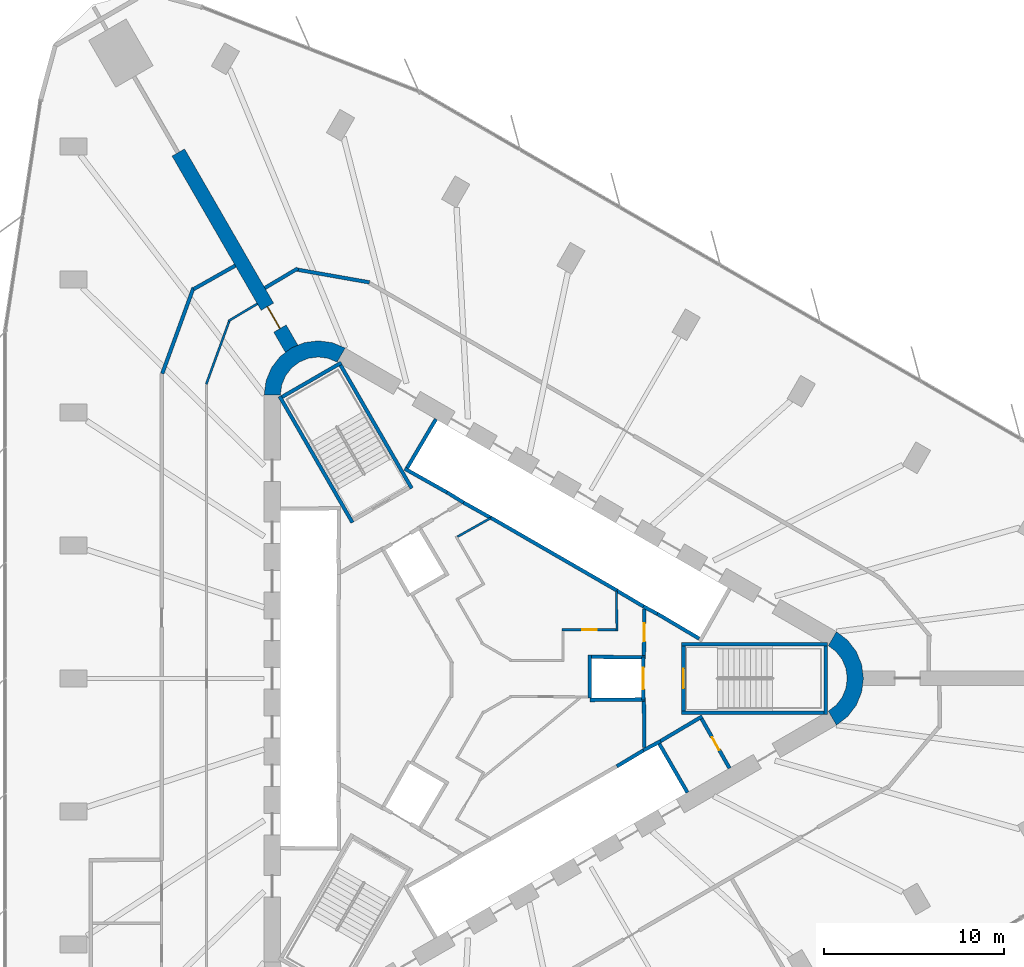
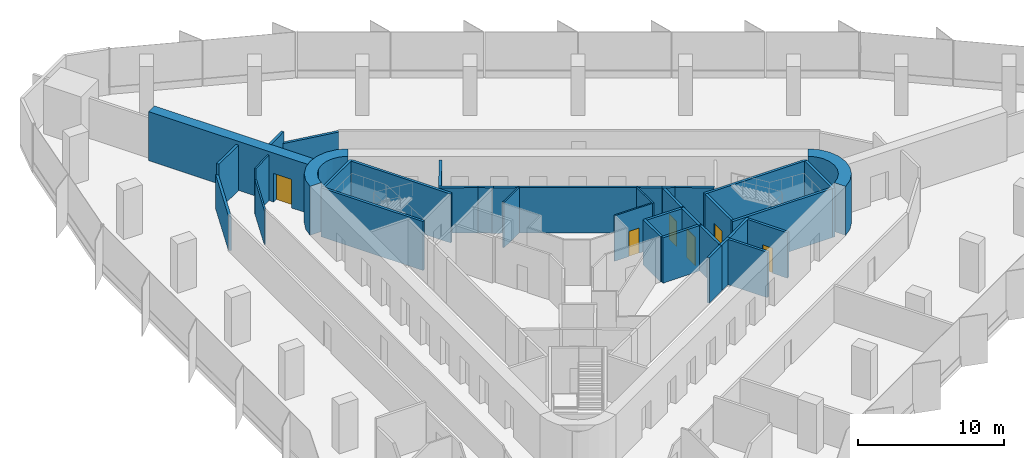
# One storey, part 12 of 15: 38 walls, 6 doors, 6 openings.
"""IFC4 building model written with IfcOpenShell, lengths in metres."""

from ifc_helpers import new_model, si_unit, direction, frame, frame_2d, origin, place, context, subcontext, project, spatial, polyline, rectangle, outline, extrude, material, layer, layer_set, type_object, element, fill, save


model = new_model("IFC4")

# Units and contexts
model_context = context("Model", 3, precision=1e-05, world=origin(), true_north=direction((0.0, 1.0)))
body_context = subcontext(model_context, "Body", "Model", "MODEL_VIEW")
ifc_project = project(units=[si_unit("LENGTHUNIT", "METRE"), si_unit("AREAUNIT", "SQUARE_METRE"), si_unit("VOLUMEUNIT", "CUBIC_METRE"), si_unit("PLANEANGLEUNIT", "RADIAN"), si_unit("MASSUNIT", "GRAM", prefix="KILO")], contexts=[model_context])

# Site, building, storey
site_placement = place(None, origin())
site = spatial("IfcSite", under=ifc_project, at=site_placement, CompositionType="ELEMENT")
building_placement = place(site_placement, origin())
building = spatial("IfcBuilding", under=site, at=building_placement, Name="Tanit Gate Tower", CompositionType="ELEMENT")
storey_placement = place(building_placement, frame((0.0, 0.0, 135.699951171875)))
storey = spatial("IfcBuildingStorey", under=building, at=storey_placement, Name="L29", CompositionType="ELEMENT", Elevation=135.699951171875)

# Wall, opening, door
ifc_material_1 = material(Name="Concrete C60/75", Category="concrete")
ifc_layer_1 = layer(ifc_material_1, 0.800048828125)
ifc_layer_set_1 = layer_set([ifc_layer_1], Name="BUTTRESS FIN 800 C60/75")
wall_type_1 = type_object("IfcWallType", Name="BUTTRESS FIN 800 C60/75", PredefinedType="SHEAR", material=ifc_layer_set_1)
wall_1_placement = place(storey_placement, frame((-10.574951171875, 18.31640625, 0.0), z_axis=(0.0, 0.0, 1.0), x_axis=(-0.500005394759, 0.866022289097, 0.0)))
wall_1 = element("IfcWall", 1, at=wall_1_placement, inside=storey, type_object=wall_type_1, Name="BUTTRESS FIN", PredefinedType="SHEAR", context=body_context, shape_type="SweptSolid", body=[
    extrude(rectangle(XDim=12.597900390625, YDim=0.800048828125, at=frame_2d((6.298828125, 0.0))), origin(), (0.0, 0.0, 1.0), 4.10009765625),
])
opening_1_placement = place(wall_1_placement, frame((1.300048828125, 0.0, 0.0)))
opening_1 = element("IfcOpeningElement", 2, at=opening_1_placement, cuts=wall_1, Name="Opening P14-S07-F-NW-1", PredefinedType="OPENING", context=body_context, shape_type="SweptSolid", body=[
    extrude(rectangle(XDim=1.39990234375, YDim=2.39990234375, at=frame_2d((0.699951171875, 1.199951171875))), frame((0.0, 0.41015625, 0.0), z_axis=(0.0, -1.0, 0.0), x_axis=(1.0, 0.0, 0.0)), (0.0, 0.0, 1.0), 0.820068359375),
])
ifc_material_2 = material(Name="Timber door leaf", Category="wood")
door_type_1 = type_object("IfcDoorType", Name="INT-DOOR-FIN-PAIR-1400", OperationType="NOTDEFINED", PredefinedType="NOTDEFINED", material=ifc_material_2)
door_1_placement = place(opening_1_placement, origin())
door_1 = element("IfcDoor", 3, at=door_1_placement, inside=storey, type_object=door_type_1, Name="Door P14-S07-F-NW-1", OperationType="DOUBLE_DOOR_SINGLE_SWING", OverallHeight=2.39990234375, OverallWidth=1.39990234375, PredefinedType="NOTDEFINED", context=body_context, shape_type="SweptSolid", body=[
    extrude(rectangle(XDim=1.39990234375, YDim=2.39990234375, at=frame_2d((0.699951171875, 1.199951171875))), frame((0.0, 0.02490234375, 0.0), z_axis=(0.0, -1.0, 0.0), x_axis=(1.0, 0.0, 0.0)), (0.0, 0.0, 1.0), 0.050048828125),
])
fill(opening_1, door_1)

# Walls
ifc_material_3 = material(Name="Concrete C60/75", Category="concrete")
ifc_layer_2 = layer(ifc_material_3, 0.89990234375)
ifc_layer_set_2 = layer_set([ifc_layer_2], Name="CORE WALL 900 C60/75")
wall_type_2 = type_object("IfcWallType", Name="CORE WALL 900 C60/75", PredefinedType="SHEAR", material=ifc_layer_set_2)
wall_2_placement = place(storey_placement, origin())
element("IfcWall", 4, at=wall_2_placement, inside=storey, type_object=wall_type_2, Name="CORE WALL CORNER", PredefinedType="SHEAR", context=body_context, shape_type="SweptSolid", body=[
    extrude(outline(polyline([(-7.60009765625, 18.359619140625), (-8.323486328125, 18.659423828125), (-9.10009765625, 18.76171875), (-9.87646484375, 18.659423828125), (-10.60009765625, 18.359619140625), (-11.22119140625, 17.883056640625), (-11.697998046875, 17.26171875), (-11.997802734375, 16.5380859375), (-12.10009765625, 15.76171875), (-11.199951171875, 15.76171875), (-11.12841796875, 16.30517578125), (-10.918701171875, 16.811767578125), (-10.5849609375, 17.24658203125), (-10.14990234375, 17.580322265625), (-9.6435546875, 17.7900390625), (-9.10009765625, 17.86181640625), (-8.556396484375, 17.7900390625), (-8.050048828125, 17.580322265625), (-7.60009765625, 18.359619140625)])), origin(), (0.0, 0.0, 1.0), 4.10009765625),
])
wall_3_placement = place(storey_placement, origin())
element("IfcWall", 5, at=wall_3_placement, inside=storey, type_object=wall_type_2, Name="CORE WALL CORNER", PredefinedType="SHEAR", context=body_context, shape_type="SweptSolid", body=[
    extrude(outline(polyline([(19.699951171875, -2.59814453125), (20.3212890625, -2.121337890625), (20.798095703125, -1.5), (21.097900390625, -0.776611328125), (21.199951171875, 0.0), (21.097900390625, 0.776611328125), (20.798095703125, 1.5), (20.3212890625, 2.121337890625), (19.699951171875, 2.59814453125), (19.25, 1.818603515625), (19.684814453125, 1.48486328125), (20.018798828125, 1.050048828125), (20.228515625, 0.54345703125), (20.300048828125, 0.0), (20.228515625, -0.54345703125), (20.018798828125, -1.050048828125), (19.684814453125, -1.48486328125), (19.25, -1.818603515625), (19.699951171875, -2.59814453125)])), origin(), (0.0, 0.0, 1.0), 4.10009765625),
])
ifc_material_4 = material(Name="Fire-rated gypsum board partition")
ifc_layer_3 = layer(ifc_material_4, 0.199951171875)
ifc_layer_set_3 = layer_set([ifc_layer_3], Name="INT-WALL-COMPARTMENT")
wall_type_3 = type_object("IfcWallType", Name="INT-WALL-COMPARTMENT", PredefinedType="PARTITIONING", material=ifc_layer_set_3)
wall_4_placement = place(storey_placement, frame((12.244873046875, -2.10888671875, 0.0), z_axis=(0.0, 0.0, 1.0), x_axis=(-0.860414880418, -0.509594185166, 0.0)))
element("IfcWall", 6, at=wall_4_placement, inside=storey, type_object=wall_type_3, Name="Wall Compartment W057", PredefinedType="PARTITIONING", context=body_context, shape_type="SweptSolid", body=[
    extrude(rectangle(XDim=2.7001953125, YDim=0.199951171875, at=frame_2d((1.35009765625, 0.0))), origin(), (0.0, 0.0, 1.0), 3.800048828125),
])

# Wall, opening, door
wall_5_placement = place(storey_placement, frame((13.758056640625, -4.989501953125, 0.0), z_axis=(0.0, 0.0, 1.0), x_axis=(-0.491993409184, 0.87059892334, 0.0)))
wall_5 = element("IfcWall", 7, at=wall_5_placement, inside=storey, type_object=wall_type_3, Name="Wall Compartment W058", PredefinedType="PARTITIONING", context=body_context, shape_type="SweptSolid", body=[
    extrude(rectangle(XDim=3.150146484375, YDim=0.199951171875, at=frame_2d((1.5751953125, 0.0))), origin(), (0.0, 0.0, 1.0), 3.800048828125),
])
opening_2_placement = place(wall_5_placement, frame((1.175048828125, 0.0, 0.0)))
opening_2 = element("IfcOpeningElement", 8, at=opening_2_placement, cuts=wall_5, Name="Opening R08-S07-14", PredefinedType="OPENING", context=body_context, shape_type="SweptSolid", body=[
    extrude(rectangle(XDim=0.800048828125, YDim=2.10009765625, at=frame_2d((0.39990234375, 1.050048828125))), frame((0.0, 0.10986328125, 0.0), z_axis=(0.0, -1.0, 0.0), x_axis=(1.0, 0.0, 0.0)), (0.0, 0.0, 1.0), 0.219970703125),
])
ifc_material_5 = material(Name="Timber door leaf", Category="wood")
door_type_2 = type_object("IfcDoorType", Name="INT-DOOR-RISER-800", OperationType="NOTDEFINED", PredefinedType="USERDEFINED", material=ifc_material_5)
door_2_placement = place(opening_2_placement, origin())
door_2 = element("IfcDoor", 9, at=door_2_placement, inside=storey, type_object=door_type_2, Name="Door R08-S07-14", ObjectType="FIRE DOOR", OperationType="SINGLE_SWING_LEFT", OverallHeight=2.10009765625, OverallWidth=0.800048828125, PredefinedType="USERDEFINED", context=body_context, shape_type="SweptSolid", body=[
    extrude(rectangle(XDim=0.800048828125, YDim=2.10009765625, at=frame_2d((0.39990234375, 1.050048828125))), frame((0.0, 0.02490234375, 0.0), z_axis=(0.0, -1.0, 0.0), x_axis=(1.0, 0.0, 0.0)), (0.0, 0.0, 1.0), 0.050048828125),
])
fill(opening_2, door_2)

# Wall
wall_6_placement = place(storey_placement, frame((9.02880859375, -3.8505859375, 0.0), z_axis=(0.0, 0.0, 1.0), x_axis=(-0.010784614026, 0.999941844359, 0.0)))
element("IfcWall", 10, at=wall_6_placement, inside=storey, type_object=wall_type_3, Name="Wall Compartment W059", PredefinedType="PARTITIONING", context=body_context, shape_type="SweptSolid", body=[
    extrude(rectangle(XDim=2.580810546875, YDim=0.199951171875, at=frame_2d((1.29052734375, 0.0))), origin(), (0.0, 0.0, 1.0), 3.800048828125),
])

# Wall, opening, door
wall_7_placement = place(storey_placement, frame((9.0009765625, 1.27001953125, 0.0), z_axis=(0.0, 0.0, 1.0), x_axis=(0.010783593937, 0.99994185536, 0.0)))
wall_7 = element("IfcWall", 11, at=wall_7_placement, inside=storey, type_object=wall_type_3, Name="Wall Compartment W060", PredefinedType="PARTITIONING", context=body_context, shape_type="SweptSolid", body=[
    extrude(rectangle(XDim=2.5810546875, YDim=0.199951171875, at=frame_2d((1.29052734375, 0.0))), origin(), (0.0, 0.0, 1.0), 3.800048828125),
])
opening_3_placement = place(wall_7_placement, frame((0.79052734375, 0.0, 0.0)))
opening_3 = element("IfcOpeningElement", 12, at=opening_3_placement, cuts=wall_7, Name="Opening F10-S07-02", PredefinedType="OPENING", context=body_context, shape_type="SweptSolid", body=[
    extrude(rectangle(XDim=1.0, YDim=2.10009765625, at=frame_2d((0.5, 1.050048828125))), frame((0.0, 0.10986328125, 0.0), z_axis=(0.0, -1.0, 0.0), x_axis=(1.0, 0.0, 0.0)), (0.0, 0.0, 1.0), 0.219970703125),
])
ifc_material_6 = material(Name="Fire-rated steel door leaf", Category="steel")
door_type_3 = type_object("IfcDoorType", Name="INT-DOOR-FIRE-1000", OperationType="NOTDEFINED", PredefinedType="USERDEFINED", material=ifc_material_6)
door_3_placement = place(opening_3_placement, origin())
door_3 = element("IfcDoor", 13, at=door_3_placement, inside=storey, type_object=door_type_3, Name="Door F10-S07-02", ObjectType="FIRE DOOR", OperationType="SINGLE_SWING_RIGHT", OverallHeight=2.10009765625, OverallWidth=1.0, PredefinedType="USERDEFINED", context=body_context, shape_type="SweptSolid", body=[
    extrude(rectangle(XDim=1.0, YDim=2.10009765625, at=frame_2d((0.5, 1.050048828125))), frame((0.0, 0.02490234375, 0.0), z_axis=(0.0, -1.0, 0.0), x_axis=(1.0, 0.0, 0.0)), (0.0, 0.0, 1.0), 0.050048828125),
])
fill(opening_3, door_3)

# Walls
wall_8_placement = place(storey_placement, frame((-16.02685546875, 21.717529296875, 0.0), z_axis=(0.0, 0.0, 1.0), x_axis=(-0.342039923135, -0.939685421288, 0.0)))
element("IfcWall", 14, at=wall_8_placement, inside=storey, type_object=wall_type_3, Name="Wall Compartment W092", PredefinedType="PARTITIONING", context=body_context, shape_type="SweptSolid", body=[
    extrude(rectangle(XDim=5.084228515625, YDim=0.199951171875, at=frame_2d((2.5419921875, 0.0))), origin(), (0.0, 0.0, 1.0), 2.880126953125),
])
wall_9_placement = place(storey_placement, frame((-13.70654296875, 22.940185546875, 0.0), z_axis=(0.0, 0.0, 1.0), x_axis=(-0.870827475384, -0.491588759143, 0.0)))
element("IfcWall", 15, at=wall_9_placement, inside=storey, type_object=wall_type_3, Name="Wall Compartment W093", PredefinedType="PARTITIONING", context=body_context, shape_type="SweptSolid", body=[
    extrude(rectangle(XDim=2.661865234375, YDim=0.199951171875, at=frame_2d((1.3310546875, 0.0))), origin(), (0.0, 0.0, 1.0), 3.800048828125),
])
wall_10_placement = place(storey_placement, frame((-10.228271484375, 22.786376953125, 0.0), z_axis=(0.0, 0.0, 1.0), x_axis=(-0.859754348804, -0.510707802674, 0.0)))
element("IfcWall", 16, at=wall_10_placement, inside=storey, type_object=wall_type_3, Name="Wall Compartment W100", PredefinedType="PARTITIONING", context=body_context, shape_type="SweptSolid", body=[
    extrude(rectangle(XDim=2.135498046875, YDim=0.199951171875, at=frame_2d((1.06787109375, 0.0))), origin(), (0.0, 0.0, 1.0), 3.800048828125),
])
wall_11_placement = place(storey_placement, frame((-6.25048828125, 22.008056640625, 0.0), z_axis=(0.0, 0.0, 1.0), x_axis=(-0.984810577443, 0.173632158762, 0.0)))
element("IfcWall", 17, at=wall_11_placement, inside=storey, type_object=wall_type_3, Name="Wall Compartment W101", PredefinedType="PARTITIONING", context=body_context, shape_type="SweptSolid", body=[
    extrude(rectangle(XDim=4.091796875, YDim=0.199951171875, at=frame_2d((2.0458984375, 0.0))), origin(), (0.0, 0.0, 1.0), 2.880126953125),
])
ifc_material_7 = material(Name="Gypsum board partition")
ifc_layer_4 = layer(ifc_material_7, 0.1201171875)
ifc_layer_set_4 = layer_set([ifc_layer_4], Name="INT-WALL-PARTITION")
wall_type_4 = type_object("IfcWallType", Name="INT-WALL-PARTITION", PredefinedType="PARTITIONING", material=ifc_layer_set_4)
wall_12_placement = place(storey_placement, frame((7.500732421875, 2.639892578125, 0.0), z_axis=(0.0, 0.0, 1.0), x_axis=(-0.01174194727, 0.999931060961, 0.0)))
element("IfcWall", 18, at=wall_12_placement, inside=storey, type_object=wall_type_4, Name="Wall Partition W077", PredefinedType="PARTITIONING", context=body_context, shape_type="SweptSolid", body=[
    extrude(rectangle(XDim=2.224853515625, YDim=0.1201171875, at=frame_2d((1.1123046875, 0.0))), origin(), (0.0, 0.0, 1.0), 3.800048828125),
])

# Wall, opening, door
wall_13_placement = place(storey_placement, frame((4.43994140625, 2.699951171875, 0.0), z_axis=(0.0, 0.0, 1.0), x_axis=(1.0, 0.0, 0.0)))
wall_13 = element("IfcWall", 19, at=wall_13_placement, inside=storey, type_object=wall_type_4, Name="Wall Partition W078", PredefinedType="PARTITIONING", context=body_context, shape_type="SweptSolid", body=[
    extrude(rectangle(XDim=3.0, YDim=0.1201171875, at=frame_2d((1.5, 0.0))), origin(), (0.0, 0.0, 1.0), 3.800048828125),
])
opening_4_placement = place(wall_13_placement, frame((1.1298828125, 0.0, 0.0)))
opening_4 = element("IfcOpeningElement", 20, at=opening_4_placement, cuts=wall_13, Name="Opening R08-S07-13", PredefinedType="OPENING", context=body_context, shape_type="SweptSolid", body=[
    extrude(rectangle(XDim=0.800048828125, YDim=2.10009765625, at=frame_2d((0.39990234375, 1.050048828125))), frame((0.0, 0.070068359375, 0.0), z_axis=(0.0, -1.0, 0.0), x_axis=(1.0, 0.0, 0.0)), (0.0, 0.0, 1.0), 0.14013671875),
])
door_4_placement = place(opening_4_placement, origin())
door_4 = element("IfcDoor", 21, at=door_4_placement, inside=storey, type_object=door_type_2, Name="Door R08-S07-13", ObjectType="FIRE DOOR", OperationType="SINGLE_SWING_LEFT", OverallHeight=2.10009765625, OverallWidth=0.800048828125, PredefinedType="USERDEFINED", context=body_context, shape_type="SweptSolid", body=[
    extrude(rectangle(XDim=0.800048828125, YDim=2.10009765625, at=frame_2d((0.39990234375, 1.050048828125))), frame((0.0, 0.02490234375, 0.0), z_axis=(0.0, -1.0, 0.0), x_axis=(1.0, 0.0, 0.0)), (0.0, 0.0, 1.0), 0.050048828125),
])
fill(opening_4, door_4)

# Walls
wall_14_placement = place(storey_placement, frame((0.475341796875, 8.9052734375, 0.0), z_axis=(0.0, 0.0, 1.0), x_axis=(-0.871832572129, -0.489804007921, 0.0)))
element("IfcWall", 22, at=wall_14_placement, inside=storey, type_object=wall_type_4, Name="Wall Partition W085", PredefinedType="PARTITIONING", context=body_context, shape_type="SweptSolid", body=[
    extrude(rectangle(XDim=2.1044921875, YDim=0.1201171875, at=frame_2d((1.05224609375, 0.0))), origin(), (0.0, 0.0, 1.0), 3.800048828125),
])
wall_15_placement = place(storey_placement, frame((-12.481689453125, 20.819091796875, 0.0), z_axis=(0.0, 0.0, 1.0), x_axis=(-0.85913200524, -0.511754040113, 0.0)))
element("IfcWall", 23, at=wall_15_placement, inside=storey, type_object=wall_type_4, Name="Wall Partition W086", PredefinedType="PARTITIONING", context=body_context, shape_type="SweptSolid", body=[
    extrude(rectangle(XDim=1.87451171875, YDim=0.1201171875, at=frame_2d((0.937255859375, 0.0))), origin(), (0.0, 0.0, 1.0), 3.800048828125),
])
wall_16_placement = place(storey_placement, frame((-14.038330078125, 19.87158203125, 0.0), z_axis=(0.0, 0.0, 1.0), x_axis=(-0.342035870777, -0.939686896313, 0.0)))
element("IfcWall", 24, at=wall_16_placement, inside=storey, type_object=wall_type_4, Name="Wall Partition W087", PredefinedType="PARTITIONING", context=body_context, shape_type="SweptSolid", body=[
    extrude(rectangle(XDim=3.748779296875, YDim=0.1201171875, at=frame_2d((1.87451171875, 0.0))), origin(), (0.0, 0.0, 1.0), 2.880126953125),
])
ifc_material_8 = material(Name="Gypsum shaft wall system")
ifc_layer_5 = layer(ifc_material_8, 0.199951171875)
ifc_layer_set_5 = layer_set([ifc_layer_5], Name="INT-WALL-SHAFT")
wall_type_5 = type_object("IfcWallType", Name="INT-WALL-SHAFT", PredefinedType="PLUMBINGWALL", material=ifc_layer_set_5)
wall_17_placement = place(storey_placement, frame((7.497314453125, 4.885986328125, 0.0), z_axis=(0.0, 0.0, 1.0), x_axis=(-0.866030989016, 0.499990325971, 0.0)))
element("IfcWall", 25, at=wall_17_placement, inside=storey, type_object=wall_type_5, Name="Wall Shaft W003", PredefinedType="PLUMBINGWALL", context=body_context, shape_type="SweptSolid", body=[
    extrude(rectangle(XDim=8.099853515625, YDim=0.199951171875, at=frame_2d((4.0498046875, 0.0))), origin(), (0.0, 0.0, 1.0), 3.800048828125),
])
wall_18_placement = place(storey_placement, frame((12.072998046875, 2.2109375, 0.0), z_axis=(0.0, 0.0, 1.0), x_axis=(-0.860438357912, 0.509554542943, 0.0)))
element("IfcWall", 26, at=wall_18_placement, inside=storey, type_object=wall_type_5, Name="Wall Shaft W014", PredefinedType="PLUMBINGWALL", context=body_context, shape_type="SweptSolid", body=[
    extrude(rectangle(XDim=2.700439453125, YDim=0.199951171875, at=frame_2d((1.35009765625, 0.0))), origin(), (0.0, 0.0, 1.0), 3.800048828125),
])
wall_19_placement = place(storey_placement, frame((9.74755859375, 3.583251953125, 0.0), z_axis=(0.0, 0.0, 1.0), x_axis=(-0.880917147855, 0.473270513147, 0.0)))
element("IfcWall", 27, at=wall_19_placement, inside=storey, type_object=wall_type_5, Name="Wall Shaft W015", PredefinedType="PLUMBINGWALL", context=body_context, shape_type="SweptSolid", body=[
    extrude(rectangle(XDim=0.8779296875, YDim=0.199951171875, at=frame_2d((0.43896484375, 0.0))), origin(), (0.0, 0.0, 1.0), 3.800048828125),
])
wall_20_placement = place(storey_placement, frame((9.07958984375, 3.93701171875, 0.0), z_axis=(0.0, 0.0, 1.0), x_axis=(-0.859981807212, 0.510324691999, 0.0)))
element("IfcWall", 28, at=wall_20_placement, inside=storey, type_object=wall_type_5, Name="Wall Shaft W016", PredefinedType="PLUMBINGWALL", context=body_context, shape_type="SweptSolid", body=[
    extrude(rectangle(XDim=1.8447265625, YDim=0.199951171875, at=frame_2d((0.92236328125, 0.0))), origin(), (0.0, 0.0, 1.0), 3.800048828125),
])
wall_21_placement = place(storey_placement, frame((-1.940673828125, 10.338623046875, 0.0), z_axis=(0.0, 0.0, 1.0), x_axis=(0.850216889117, -0.526432561171, 0.0)))
element("IfcWall", 29, at=wall_21_placement, inside=storey, type_object=wall_type_5, Name="Wall Shaft W019", PredefinedType="PLUMBINGWALL", context=body_context, shape_type="SweptSolid", body=[
    extrude(rectangle(XDim=1.078369140625, YDim=0.199951171875, at=frame_2d((0.5390625, 0.0))), origin(), (0.0, 0.0, 1.0), 3.800048828125),
])
wall_22_placement = place(storey_placement, frame((0.478271484375, 8.928466796875, 0.0), z_axis=(0.0, 0.0, 1.0), x_axis=(-0.871988740738, 0.489525929882, 0.0)))
element("IfcWall", 30, at=wall_22_placement, inside=storey, type_object=wall_type_5, Name="Wall Shaft W020", PredefinedType="PLUMBINGWALL", context=body_context, shape_type="SweptSolid", body=[
    extrude(rectangle(XDim=1.8447265625, YDim=0.199951171875, at=frame_2d((0.92236328125, 0.0))), origin(), (0.0, 0.0, 1.0), 3.800048828125),
])
wall_23_placement = place(storey_placement, frame((-4.296142578125, 11.658935546875, 0.0), z_axis=(0.0, 0.0, 1.0), x_axis=(0.871534483978, -0.490334215854, 0.0)))
element("IfcWall", 31, at=wall_23_placement, inside=storey, type_object=wall_type_5, Name="Wall Shaft W021", PredefinedType="PLUMBINGWALL", context=body_context, shape_type="SweptSolid", body=[
    extrude(rectangle(XDim=2.7001953125, YDim=0.199951171875, at=frame_2d((1.35009765625, 0.0))), origin(), (0.0, 0.0, 1.0), 3.800048828125),
])
wall_24_placement = place(storey_placement, frame((-4.158203125, 11.696044921875, 0.0), z_axis=(0.0, 0.0, 1.0), x_axis=(0.508018930956, 0.861345903683, 0.0)))
element("IfcWall", 32, at=wall_24_placement, inside=storey, type_object=wall_type_5, Name="Wall Shaft W022", PredefinedType="PLUMBINGWALL", context=body_context, shape_type="SweptSolid", body=[
    extrude(rectangle(XDim=3.150146484375, YDim=0.199951171875, at=frame_2d((1.5751953125, 0.0))), origin(), (0.0, 0.0, 1.0), 3.800048828125),
])
wall_25_placement = place(storey_placement, frame((9.794677734375, -3.52490234375, 0.0), z_axis=(0.0, 0.0, 1.0), x_axis=(0.499984717929, -0.866034226713, 0.0)))
element("IfcWall", 33, at=wall_25_placement, inside=storey, type_object=wall_type_5, Name="Wall Shaft W024", PredefinedType="PLUMBINGWALL", context=body_context, shape_type="SweptSolid", body=[
    extrude(rectangle(XDim=3.25, YDim=0.199951171875, at=frame_2d((1.625, 0.0))), origin(), (0.0, 0.0, 1.0), 3.800048828125),
])
wall_26_placement = place(storey_placement, frame((8.97412109375, -3.998779296875, 0.0), z_axis=(0.0, 0.0, 1.0), x_axis=(0.880907015104, 0.473289373154, 0.0)))
element("IfcWall", 34, at=wall_26_placement, inside=storey, type_object=wall_type_5, Name="Wall Shaft W025", PredefinedType="PLUMBINGWALL", context=body_context, shape_type="SweptSolid", body=[
    extrude(rectangle(XDim=1.078125, YDim=0.199951171875, at=frame_2d((0.5390625, 0.0))), origin(), (0.0, 0.0, 1.0), 3.800048828125),
])
wall_27_placement = place(storey_placement, frame((7.497314453125, -4.885986328125, 0.0), z_axis=(0.0, 0.0, 1.0), x_axis=(0.857516281273, 0.51445682749, 0.0)))
element("IfcWall", 35, at=wall_27_placement, inside=storey, type_object=wall_type_5, Name="Wall Shaft W026", PredefinedType="PLUMBINGWALL", context=body_context, shape_type="SweptSolid", body=[
    extrude(rectangle(XDim=1.8447265625, YDim=0.199951171875, at=frame_2d((0.92236328125, 0.0))), origin(), (0.0, 0.0, 1.0), 3.800048828125),
])

# Wall, opening, door
wall_28_placement = place(storey_placement, frame((8.969970703125, 1.199951171875, 0.0), z_axis=(0.0, 0.0, 1.0), x_axis=(0.0, -1.0, 0.0)))
wall_28 = element("IfcWall", 36, at=wall_28_placement, inside=storey, type_object=wall_type_5, Name="Wall Shaft W037", PredefinedType="PLUMBINGWALL", context=body_context, shape_type="SweptSolid", body=[
    extrude(rectangle(XDim=2.39990234375, YDim=0.199951171875, at=frame_2d((1.199951171875, 0.0))), origin(), (0.0, 0.0, 1.0), 3.800048828125),
])
opening_5_placement = place(wall_28_placement, frame((0.60009765625, 0.0, 0.0)))
opening_5 = element("IfcOpeningElement", 37, at=opening_5_placement, cuts=wall_28, Name="Opening LDFL1-L29", PredefinedType="OPENING", context=body_context, shape_type="SweptSolid", body=[
    extrude(rectangle(XDim=1.199951171875, YDim=2.39990234375, at=frame_2d((0.60009765625, 1.199951171875))), frame((0.0, 0.10986328125, 0.0), z_axis=(0.0, -1.0, 0.0), x_axis=(1.0, 0.0, 0.0)), (0.0, 0.0, 1.0), 0.219970703125),
])
ifc_material_9 = material(Name="Stainless steel sliding door leaf", Category="steel")
door_type_4 = type_object("IfcDoorType", Name="INT-DOOR-LANDING-1200", OperationType="NOTDEFINED", PredefinedType="USERDEFINED", material=ifc_material_9)
door_5_placement = place(opening_5_placement, origin())
door_5 = element("IfcDoor", 38, at=door_5_placement, inside=storey, type_object=door_type_4, Name="Door LDFL1-L29", ObjectType="LANDING DOOR", OperationType="SLIDING_TO_LEFT", OverallHeight=2.39990234375, OverallWidth=1.199951171875, PredefinedType="USERDEFINED", context=body_context, shape_type="SweptSolid", body=[
    extrude(rectangle(XDim=1.199951171875, YDim=2.39990234375, at=frame_2d((0.60009765625, 1.199951171875))), frame((0.0, 0.02490234375, 0.0), z_axis=(0.0, -1.0, 0.0), x_axis=(1.0, 0.0, 0.0)), (0.0, 0.0, 1.0), 0.050048828125),
])
fill(opening_5, door_5)

# Walls
wall_29_placement = place(storey_placement, frame((9.10009765625, -1.1689453125, 0.0), z_axis=(0.0, 0.0, 1.0), x_axis=(-0.999949988, -0.010001074852, 0.0)))
element("IfcWall", 39, at=wall_29_placement, inside=storey, type_object=wall_type_5, Name="Wall Shaft W038", PredefinedType="PLUMBINGWALL", context=body_context, shape_type="SweptSolid", body=[
    extrude(rectangle(XDim=3.100341796875, YDim=0.199951171875, at=frame_2d((1.55029296875, 0.0))), origin(), (0.0, 0.0, 1.0), 3.800048828125),
])
wall_30_placement = place(storey_placement, frame((6.0, -1.089599609375, 0.0), z_axis=(0.0, 0.0, 1.0), x_axis=(0.0, 1.0, 0.0)))
element("IfcWall", 40, at=wall_30_placement, inside=storey, type_object=wall_type_5, Name="Wall Shaft W039", PredefinedType="PLUMBINGWALL", context=body_context, shape_type="SweptSolid", body=[
    extrude(rectangle(XDim=2.3896484375, YDim=0.199951171875, at=frame_2d((1.19482421875, 0.0))), origin(), (0.0, 0.0, 1.0), 3.800048828125),
])
wall_31_placement = place(storey_placement, frame((9.10009765625, 1.1689453125, 0.0), z_axis=(0.0, 0.0, 1.0), x_axis=(-0.99994990606, 0.010009264196, 0.0)))
element("IfcWall", 41, at=wall_31_placement, inside=storey, type_object=wall_type_5, Name="Wall Shaft W040", PredefinedType="PLUMBINGWALL", context=body_context, shape_type="SweptSolid", body=[
    extrude(rectangle(XDim=3.000244140625, YDim=0.199951171875, at=frame_2d((1.5, 0.0))), origin(), (0.0, 0.0, 1.0), 3.800048828125),
])
ifc_material_10 = material(Name="Concrete C40/50", Category="concrete")
ifc_layer_6 = layer(ifc_material_10, 0.199951171875)
ifc_layer_set_6 = layer_set([ifc_layer_6], Name="INT-WALL-STAIR")
wall_type_6 = type_object("IfcWallType", Name="INT-WALL-STAIR", PredefinedType="SHEAR", material=ifc_layer_set_6)
wall_32_placement = place(storey_placement, frame((19.199951171875, 1.89990234375, -0.300048828125), z_axis=(0.0, 0.0, 1.0), x_axis=(-1.0, 0.0, 0.0)))
element("IfcWall", 42, at=wall_32_placement, inside=storey, type_object=wall_type_6, Name="Wall Stair W033", PredefinedType="SHEAR", context=body_context, shape_type="SweptSolid", body=[
    extrude(rectangle(XDim=8.099853515625, YDim=0.199951171875, at=frame_2d((4.0498046875, 0.0))), origin(), (0.0, 0.0, 1.0), 4.10009765625),
])
wall_33_placement = place(storey_placement, frame((19.10009765625, -2.0, -0.300048828125), z_axis=(0.0, 0.0, 1.0), x_axis=(0.0, 1.0, 0.0)))
element("IfcWall", 43, at=wall_33_placement, inside=storey, type_object=wall_type_6, Name="Wall Stair W034", PredefinedType="SHEAR", context=body_context, shape_type="SweptSolid", body=[
    extrude(rectangle(XDim=3.800048828125, YDim=0.199951171875, at=frame_2d((1.89990234375, 0.0))), origin(), (0.0, 0.0, 1.0), 4.10009765625),
])
wall_34_placement = place(storey_placement, frame((11.10009765625, -1.89990234375, -0.300048828125), z_axis=(0.0, 0.0, 1.0), x_axis=(1.0, 0.0, 0.0)))
element("IfcWall", 44, at=wall_34_placement, inside=storey, type_object=wall_type_6, Name="Wall Stair W035", PredefinedType="SHEAR", context=body_context, shape_type="SweptSolid", body=[
    extrude(rectangle(XDim=7.89990234375, YDim=0.199951171875, at=frame_2d((3.949951171875, 0.0))), origin(), (0.0, 0.0, 1.0), 4.10009765625),
])

# Wall, opening, door
wall_35_placement = place(storey_placement, frame((11.199951171875, -1.800048828125, -0.300048828125), z_axis=(0.0, 0.0, 1.0), x_axis=(0.0, 1.0, 0.0)))
wall_35 = element("IfcWall", 45, at=wall_35_placement, inside=storey, type_object=wall_type_6, Name="Wall Stair W036", PredefinedType="SHEAR", context=body_context, shape_type="SweptSolid", body=[
    extrude(rectangle(XDim=3.60009765625, YDim=0.199951171875, at=frame_2d((1.800048828125, 0.0))), origin(), (0.0, 0.0, 1.0), 4.10009765625),
])
opening_6_placement = place(wall_35_placement, frame((1.25, 0.0, 0.300048828125)))
opening_6 = element("IfcOpeningElement", 46, at=opening_6_placement, cuts=wall_35, Name="Opening S11-S07-01", PredefinedType="OPENING", context=body_context, shape_type="SweptSolid", body=[
    extrude(rectangle(XDim=1.10009765625, YDim=2.10009765625, at=frame_2d((0.550048828125, 1.050048828125))), frame((0.0, 0.10986328125, 0.0), z_axis=(0.0, -1.0, 0.0), x_axis=(1.0, 0.0, 0.0)), (0.0, 0.0, 1.0), 0.219970703125),
])
ifc_material_11 = material(Name="Timber door leaf", Category="wood")
door_type_5 = type_object("IfcDoorType", Name="INT-DOOR-STAIR-1100", OperationType="NOTDEFINED", PredefinedType="USERDEFINED", material=ifc_material_11)
door_6_placement = place(opening_6_placement, origin())
door_6 = element("IfcDoor", 47, at=door_6_placement, inside=storey, type_object=door_type_5, Name="Door S11-S07-01", ObjectType="FIRE DOOR", OperationType="SINGLE_SWING_RIGHT", OverallHeight=2.10009765625, OverallWidth=1.10009765625, PredefinedType="USERDEFINED", context=body_context, shape_type="SweptSolid", body=[
    extrude(rectangle(XDim=1.10009765625, YDim=2.10009765625, at=frame_2d((0.550048828125, 1.050048828125))), frame((0.0, 0.02490234375, 0.0), z_axis=(0.0, -1.0, 0.0), x_axis=(1.0, 0.0, 0.0)), (0.0, 0.0, 1.0), 0.050048828125),
])
fill(opening_6, door_6)

# Walls
wall_36_placement = place(storey_placement, frame((-11.245361328125, 15.677734375, -0.300048828125), z_axis=(0.0, 0.0, 1.0), x_axis=(0.499977274689, -0.866038523851, 0.0)))
element("IfcWall", 48, at=wall_36_placement, inside=storey, type_object=wall_type_6, Name="Wall Stair W041", PredefinedType="SHEAR", context=body_context, shape_type="SweptSolid", body=[
    extrude(rectangle(XDim=8.10009765625, YDim=0.199951171875, at=frame_2d((4.050048828125, 0.0))), origin(), (0.0, 0.0, 1.0), 4.10009765625),
])
wall_37_placement = place(storey_placement, frame((-7.81787109375, 17.541015625, -0.300048828125), z_axis=(0.0, 0.0, 1.0), x_axis=(-0.866044365799, -0.499967155389, 0.0)))
element("IfcWall", 49, at=wall_37_placement, inside=storey, type_object=wall_type_6, Name="Wall Stair W042", PredefinedType="SHEAR", context=body_context, shape_type="SweptSolid", body=[
    extrude(rectangle(XDim=3.800048828125, YDim=0.199951171875, at=frame_2d((1.89990234375, 0.0))), origin(), (0.0, 0.0, 1.0), 4.10009765625),
])
wall_38_placement = place(storey_placement, frame((-7.8544921875, 17.404541015625, -0.300048828125), z_axis=(0.0, 0.0, 1.0), x_axis=(0.499997992926, -0.866026562566, 0.0)))
element("IfcWall", 50, at=wall_38_placement, inside=storey, type_object=wall_type_6, Name="Wall Stair W043", PredefinedType="SHEAR", context=body_context, shape_type="SweptSolid", body=[
    extrude(rectangle(XDim=7.89990234375, YDim=0.199951171875, at=frame_2d((3.949951171875, 0.0))), origin(), (0.0, 0.0, 1.0), 4.10009765625),
])

save(model, "model.ifc")
